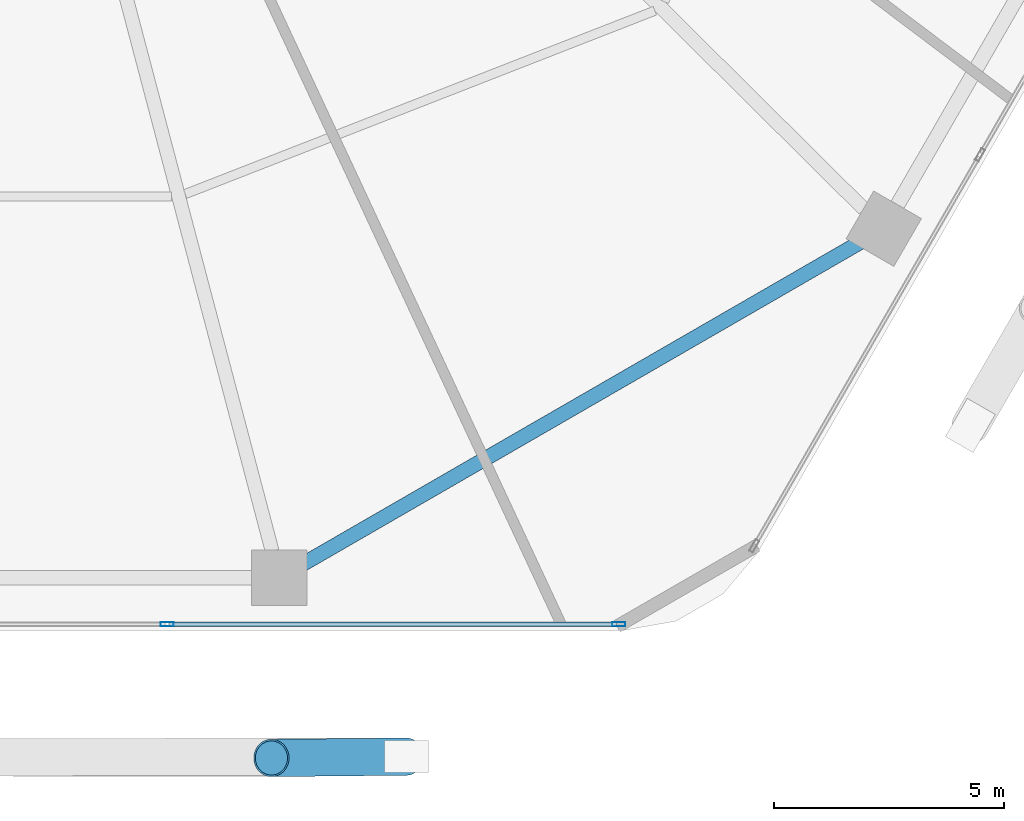
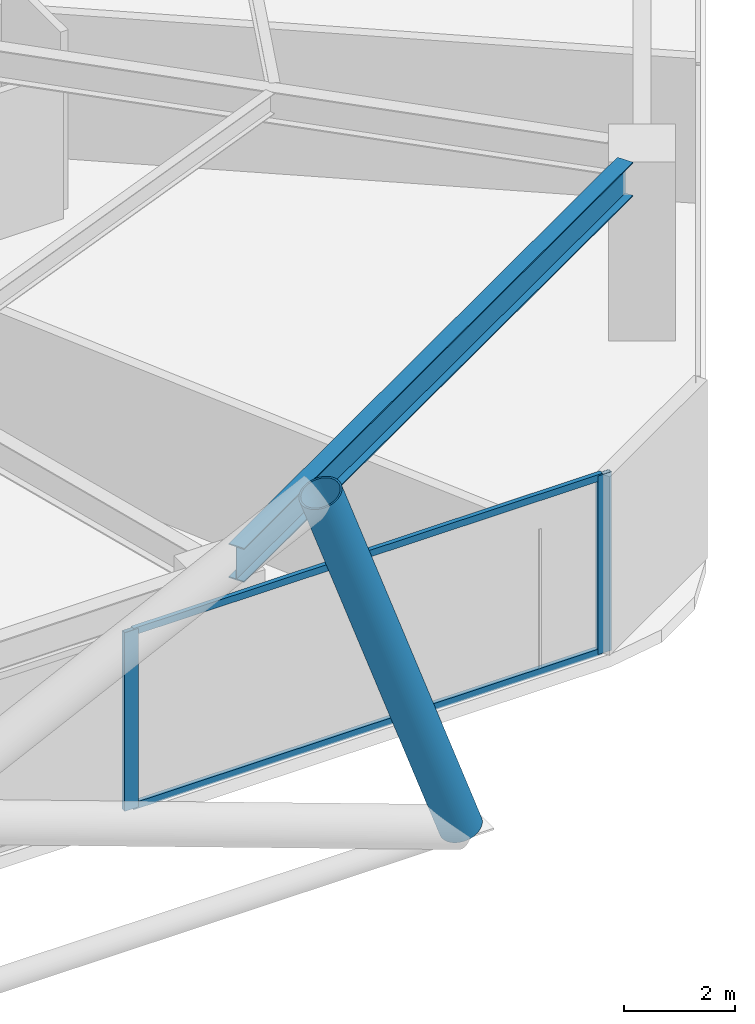
# One storey, part 7 of 29: 5 members, 1 beam, 1 element without a shape of its own.
"""IFC4 building model written with IfcOpenShell, lengths in metres."""

from ifc_helpers import new_model, si_unit, direction, frame, origin, origin_2d, place, context, subcontext, project, spatial, hollow_rectangle, hollow_circle, i_section, extrude, material, material_profile, profile_set, type_object, element, aggregate, save


model = new_model("IFC4")

# Units and contexts
model_context = context("Model", 3, precision=1e-05, world=origin(), true_north=direction((0.0, 1.0)))
body_context = subcontext(model_context, "Body", "Model", "MODEL_VIEW")
ifc_project = project(units=[si_unit("LENGTHUNIT", "METRE"), si_unit("AREAUNIT", "SQUARE_METRE"), si_unit("VOLUMEUNIT", "CUBIC_METRE"), si_unit("PLANEANGLEUNIT", "RADIAN"), si_unit("MASSUNIT", "GRAM", prefix="KILO")], contexts=[model_context])

# Site, building, storey
site_placement = place(None, origin())
site = spatial("IfcSite", under=ifc_project, at=site_placement, CompositionType="ELEMENT")
building_placement = place(site_placement, origin())
building = spatial("IfcBuilding", under=site, at=building_placement, Name="Zuhravey Tower", CompositionType="ELEMENT")
storey_placement = place(building_placement, frame((0.0, 0.0, 41.39990234375)))
storey = spatial("IfcBuildingStorey", under=building, at=storey_placement, Name="L10", CompositionType="ELEMENT", Elevation=41.39990234375)

# Curtain wall, members
ifc_material_1 = material(Name="Thermally broken anodised aluminium", Category="aluminium")
curtain_wall_type = type_object("IfcCurtainWallType", Name="School Low-E Unitised Curtain Wall CW1", PredefinedType="NOTDEFINED", material=ifc_material_1)
curtain_wall_placement = place(storey_placement, origin())
curtain_wall = element("IfcCurtainWall", 1, at=curtain_wall_placement, inside=storey, type_object=curtain_wall_type, Name="L10 CW1 CW-L10-F5-1", PredefinedType="NOTDEFINED")
ifc_material_2 = material(Name="Anodised aluminium", Category="aluminium")
ifc_material_profile_1 = material_profile(ifc_material_2, hollow_rectangle(XDim=0.090087890625, YDim=0.284912109375, WallThickness=0.0048828125, at=origin_2d()), Name="ALU-RHS-90x285x5")
ifc_profile_set_1 = profile_set([ifc_material_profile_1], Name="Anodised aluminium")
member_type_1 = type_object("IfcMemberType", Name="Curtain-Wall Mullion 90x180", PredefinedType="MULLION", material=ifc_profile_set_1)
member_1_placement = place(storey_placement, frame((50.75439453125, 3.04150390625, 0.0), z_axis=(0.0, 0.0, 1.0), x_axis=(0.0, -1.0, 0.0)))
member_1 = element("IfcMember", 2, at=member_1_placement, type_object=member_type_1, Name="CW1 mullion 1", PredefinedType="MULLION", context=body_context, shape_type="SweptSolid", body=[
    extrude(hollow_rectangle(XDim=0.090087890625, YDim=0.284912109375, WallThickness=0.0048828125, at=origin_2d()), origin(), (0.0, 0.0, 1.0), 3.920166015625),
])
member_2_placement = place(storey_placement, frame((40.93310546875, 3.04150390625, 0.0), z_axis=(0.0, 0.0, 1.0), x_axis=(0.0, -1.0, 0.0)))
member_2 = element("IfcMember", 3, at=member_2_placement, type_object=member_type_1, Name="CW1 mullion 2", PredefinedType="MULLION", context=body_context, shape_type="SweptSolid", body=[
    extrude(hollow_rectangle(XDim=0.090087890625, YDim=0.284912109375, WallThickness=0.0048828125, at=origin_2d()), origin(), (0.0, 0.0, 1.0), 3.920166015625),
])
ifc_material_profile_2 = material_profile(ifc_material_2, hollow_rectangle(XDim=0.090087890625, YDim=0.14990234375, WallThickness=0.0048828125, at=origin_2d()), Name="ALU-RHS-90x150x5")
ifc_profile_set_2 = profile_set([ifc_material_profile_2], Name="Anodised aluminium")
member_type_2 = type_object("IfcMemberType", Name="Curtain-Wall Transom 90x150", PredefinedType="USERDEFINED", material=ifc_profile_set_2)
member_3_placement = place(storey_placement, frame((50.70947265625, 3.04150390625, 0.045166015625), z_axis=(-1.0, 0.0, 0.0), x_axis=(0.0, -1.0, 0.0)))
member_3 = element("IfcMember", 4, at=member_3_placement, type_object=member_type_2, Name="CW1 transom 1.1", ObjectType="TRANSOM", PredefinedType="USERDEFINED", context=body_context, shape_type="SweptSolid", body=[
    extrude(hollow_rectangle(XDim=0.090087890625, YDim=0.14990234375, WallThickness=0.0048828125, at=origin_2d()), origin(), (0.0, 0.0, 1.0), 9.731201171875),
])
member_4_placement = place(storey_placement, frame((50.70947265625, 3.04150390625, 3.875), z_axis=(-1.0, 0.0, 0.0), x_axis=(0.0, -1.0, 0.0)))
member_4 = element("IfcMember", 5, at=member_4_placement, type_object=member_type_2, Name="CW1 transom 1.2", ObjectType="TRANSOM", PredefinedType="USERDEFINED", context=body_context, shape_type="SweptSolid", body=[
    extrude(hollow_rectangle(XDim=0.090087890625, YDim=0.14990234375, WallThickness=0.0048828125, at=origin_2d()), origin(), (0.0, 0.0, 1.0), 9.731201171875),
])
aggregate(curtain_wall, [member_1, member_2, member_3, member_4])

# Member
ifc_material_3 = material(Name="Steel SM460", Category="steel")
ifc_material_profile_3 = material_profile(ifc_material_3, hollow_circle(Radius=0.406494140625, WallThickness=0.035888671875, at=origin_2d()), Name="CHS-812.8x36")
ifc_profile_set_3 = profile_set([ifc_material_profile_3], Name="Steel SM460")
member_type_3 = type_object("IfcMemberType", Name="Exoskeleton Zone 1 Diagrid CHS813x36", PredefinedType="BRACE", material=ifc_profile_set_3)
member_5_placement = place(storey_placement, frame((46.129150390625, 0.161376953125, -0.471923828125), z_axis=(-0.330640861788, -0.003364038457, 0.943750657622), x_axis=(0.010173770828, -0.999948245854, 0.0)))
element("IfcMember", 6, at=member_5_placement, inside=storey, type_object=member_type_3, Name="L10 Face 5 Diagrid Brace 4", PredefinedType="BRACE", context=body_context, shape_type="SweptSolid", body=[
    extrude(hollow_circle(Radius=0.406494140625, WallThickness=0.035888671875, at=origin_2d()), origin(), (0.0, 0.0, 1.0), 8.85400390625),
])

# Beam
ifc_material_4 = material(Name="Steel SM355", Category="steel")
ifc_material_profile_4 = material_profile(ifc_material_4, i_section(OverallWidth=0.320068359375, OverallDepth=0.75, WebThickness=0.013916015625, FlangeThickness=0.02490234375, at=origin_2d()), Name="H-750x320x14x25")
ifc_profile_set_4 = profile_set([ifc_material_profile_4], Name="Steel SM355")
beam_type = type_object("IfcBeamType", Name="Perimeter Ring Beam H750x320", PredefinedType="BEAM", material=ifc_profile_set_4)
beam_placement = place(storey_placement, frame((43.89208984375, 4.35302734375, 3.545166015625), z_axis=(0.866029969761, 0.499992091414, 0.0), x_axis=(-0.499992091414, 0.866029969761, 0.0)))
element("IfcBeam", 7, at=beam_placement, inside=storey, type_object=beam_type, Name="L10 PB1 BM-L10-PB-10", PredefinedType="BEAM", context=body_context, shape_type="SweptSolid", body=[
    extrude(i_section(OverallWidth=0.320068359375, OverallDepth=0.75, WebThickness=0.013916015625, FlangeThickness=0.02490234375, at=origin_2d()), origin(), (0.0, 0.0, 1.0), 13.977294921875),
])

save(model, "model.ifc")
